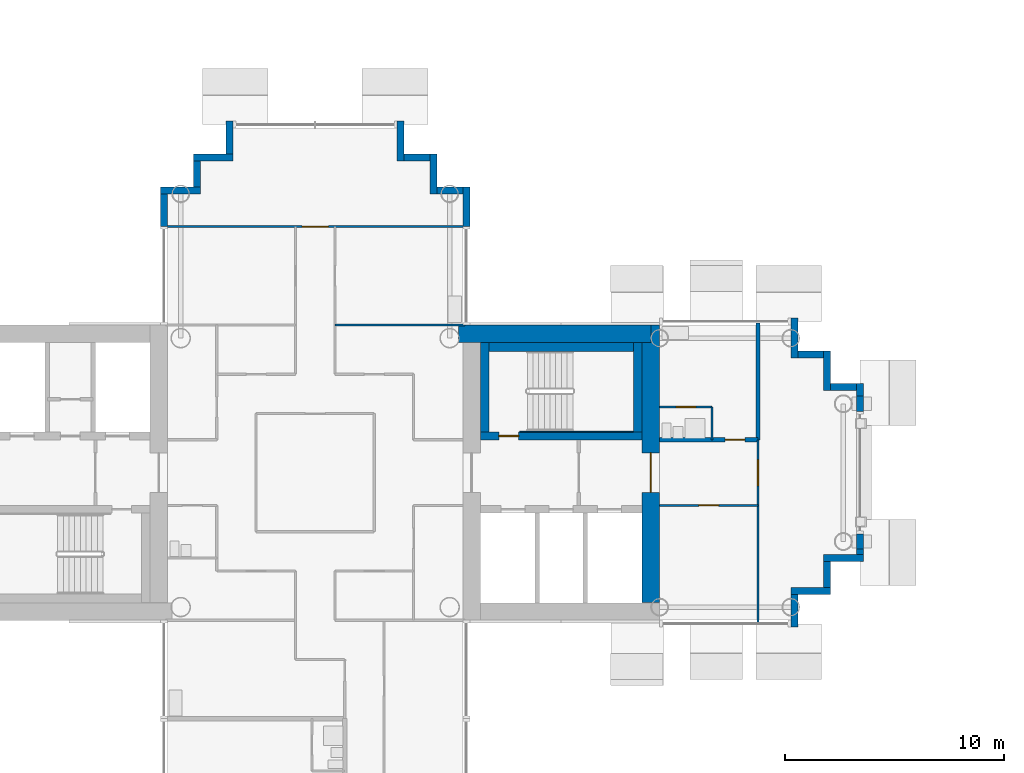
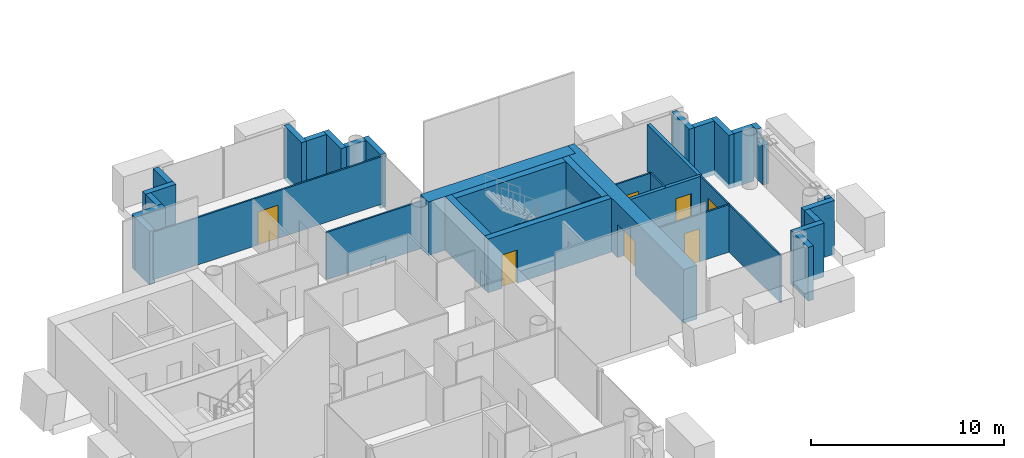
# One storey, part 8 of 18: 37 walls, 7 doors, 7 openings.
"""IFC4 building model written with IfcOpenShell, lengths in metres."""

from ifc_helpers import new_model, si_unit, direction, frame, frame_2d, origin, place, context, subcontext, project, spatial, rectangle, extrude, material, layer, layer_set, type_object, element, fill, save


model = new_model("IFC4")

# Units and contexts
model_context = context("Model", 3, precision=1e-05, world=origin(), true_north=direction((0.0, 1.0)))
body_context = subcontext(model_context, "Body", "Model", "MODEL_VIEW")
ifc_project = project(units=[si_unit("LENGTHUNIT", "METRE"), si_unit("AREAUNIT", "SQUARE_METRE"), si_unit("VOLUMEUNIT", "CUBIC_METRE"), si_unit("PLANEANGLEUNIT", "RADIAN"), si_unit("MASSUNIT", "GRAM", prefix="KILO")], contexts=[model_context])

# Site, building, storey
site_placement = place(None, origin())
site = spatial("IfcSite", under=ifc_project, at=site_placement, CompositionType="ELEMENT")
building_placement = place(site_placement, origin())
building = spatial("IfcBuilding", under=site, at=building_placement, Name="Ipe Terrace Towers", CompositionType="ELEMENT")
storey_placement = place(building_placement, frame((0.0, 0.0, 177.89990234375)))
storey = spatial("IfcBuildingStorey", under=building, at=storey_placement, Name="L49", CompositionType="ELEMENT", Elevation=177.89990234375)

# Walls
ifc_material_1 = material(Name="Concrete C40/50 with buff precast cladding", Category="concrete")
ifc_layer_1 = layer(ifc_material_1, 0.320068359375)
ifc_layer_set_1 = layer_set([ifc_layer_1], Name="BUFF CLADDING WALL 320")
wall_type_1 = type_object("IfcWallType", Name="BUFF CLADDING WALL 320", PredefinedType="STANDARD", material=ifc_layer_set_1)
wall_1_placement = place(storey_placement, frame((-14.090087890625, -7.070068359375, -0.2998046875), z_axis=(0.0, 0.0, 1.0), x_axis=(0.0, 1.0, 0.0)))
element("IfcWall", 1, at=wall_1_placement, inside=storey, type_object=wall_type_1, Name="T1-W-L49-17a wall", PredefinedType="STANDARD", context=body_context, shape_type="SweptSolid", body=[
    extrude(rectangle(XDim=1.5, YDim=0.320068359375, at=frame_2d((0.75, 0.0))), origin(), (0.0, 0.0, 1.0), 3.39990234375),
])
wall_2_placement = place(storey_placement, frame((-14.25, -5.409912109375, -0.2998046875), z_axis=(0.0, 0.0, 1.0), x_axis=(1.0, 0.0, 0.0)))
element("IfcWall", 2, at=wall_2_placement, inside=storey, type_object=wall_type_1, Name="T1-W-L49-18a wall", PredefinedType="STANDARD", context=body_context, shape_type="SweptSolid", body=[
    extrude(rectangle(XDim=1.820068359375, YDim=0.320068359375, at=frame_2d((0.91015625, 0.0))), origin(), (0.0, 0.0, 1.0), 3.39990234375),
])
wall_3_placement = place(storey_placement, frame((-12.590087890625, -5.25, -0.2998046875), z_axis=(0.0, 0.0, 1.0), x_axis=(0.0, 1.0, 0.0)))
element("IfcWall", 3, at=wall_3_placement, inside=storey, type_object=wall_type_1, Name="T1-W-L49-19a wall", PredefinedType="STANDARD", context=body_context, shape_type="SweptSolid", body=[
    extrude(rectangle(XDim=1.179931640625, YDim=0.320068359375, at=frame_2d((0.58984375, 0.0))), origin(), (0.0, 0.0, 1.0), 3.39990234375),
])
wall_4_placement = place(storey_placement, frame((-12.75, -3.909912109375, -0.2998046875), z_axis=(0.0, 0.0, 1.0), x_axis=(1.0, 0.0, 0.0)))
element("IfcWall", 4, at=wall_4_placement, inside=storey, type_object=wall_type_1, Name="T1-W-L49-20a wall", PredefinedType="STANDARD", context=body_context, shape_type="SweptSolid", body=[
    extrude(rectangle(XDim=1.820068359375, YDim=0.320068359375, at=frame_2d((0.91015625, 0.0))), origin(), (0.0, 0.0, 1.0), 3.39990234375),
])
wall_5_placement = place(storey_placement, frame((-11.090087890625, -3.75, 0.0), z_axis=(0.0, 0.0, 1.0), x_axis=(0.0, 1.0, 0.0)))
element("IfcWall", 5, at=wall_5_placement, inside=storey, type_object=wall_type_1, Name="T1-W-L49-21a wall", PredefinedType="STANDARD", context=body_context, shape_type="SweptSolid", body=[
    extrude(rectangle(XDim=0.25, YDim=0.320068359375, at=frame_2d((0.125, 0.0))), origin(), (0.0, 0.0, 1.0), 3.10009765625),
])
for number, where, z_axis, x_axis, name in (
    (6, (-11.090087890625, -3.5, 0.0), (0.0, 0.0, 1.0), (0.0, 1.0, 0.0), "T1-W-L49-21b wall"),
    (7, (-11.090087890625, 2.800048828125, 0.0), (0.0, 0.0, 1.0), (0.0, 1.0, 0.0), "T1-W-L49-21e wall"),
):
    element("IfcWall", number, at=place(storey_placement, frame(where, z_axis=z_axis, x_axis=x_axis)), inside=storey, type_object=wall_type_1, Name=name, PredefinedType="STANDARD", context=body_context, shape_type="SweptSolid", body=[
        extrude(rectangle(XDim=0.699951171875, YDim=0.320068359375, at=frame_2d((0.35009765625, 0.0))), origin(), (0.0, 0.0, 1.0), 2.510009765625),
    ])
wall_6_placement = place(storey_placement, frame((-11.090087890625, 3.5, 0.0), z_axis=(0.0, 0.0, 1.0), x_axis=(0.0, 1.0, 0.0)))
element("IfcWall", 8, at=wall_6_placement, inside=storey, type_object=wall_type_1, Name="T1-W-L49-21g wall", PredefinedType="STANDARD", context=body_context, shape_type="SweptSolid", body=[
    extrude(rectangle(XDim=0.570068359375, YDim=0.320068359375, at=frame_2d((0.28515625, 0.0))), origin(), (0.0, 0.0, 1.0), 3.10009765625),
])
wall_7_placement = place(storey_placement, frame((-11.25, 3.909912109375, -0.2998046875), z_axis=(0.0, 0.0, 1.0), x_axis=(-1.0, 0.0, 0.0)))
element("IfcWall", 9, at=wall_7_placement, inside=storey, type_object=wall_type_1, Name="T1-W-L49-22a wall", PredefinedType="STANDARD", context=body_context, shape_type="SweptSolid", body=[
    extrude(rectangle(XDim=1.179931640625, YDim=0.320068359375, at=frame_2d((0.58984375, 0.0))), origin(), (0.0, 0.0, 1.0), 3.39990234375),
])
wall_8_placement = place(storey_placement, frame((-12.590087890625, 3.75, -0.2998046875), z_axis=(0.0, 0.0, 1.0), x_axis=(0.0, 1.0, 0.0)))
element("IfcWall", 10, at=wall_8_placement, inside=storey, type_object=wall_type_1, Name="T1-W-L49-23a wall", PredefinedType="STANDARD", context=body_context, shape_type="SweptSolid", body=[
    extrude(rectangle(XDim=1.820068359375, YDim=0.320068359375, at=frame_2d((0.91015625, 0.0))), origin(), (0.0, 0.0, 1.0), 3.39990234375),
])
wall_9_placement = place(storey_placement, frame((-12.75, 5.409912109375, -0.2998046875), z_axis=(0.0, 0.0, 1.0), x_axis=(-1.0, 0.0, 0.0)))
element("IfcWall", 11, at=wall_9_placement, inside=storey, type_object=wall_type_1, Name="T1-W-L49-24a wall", PredefinedType="STANDARD", context=body_context, shape_type="SweptSolid", body=[
    extrude(rectangle(XDim=1.179931640625, YDim=0.320068359375, at=frame_2d((0.58984375, 0.0))), origin(), (0.0, 0.0, 1.0), 3.39990234375),
])
for number, where, z_axis, x_axis, name in (
    (12, (-14.090087890625, 5.25, -0.2998046875), (0.0, 0.0, 1.0), (0.0, 1.0, 0.0), "T1-W-L49-25a wall"),
    (13, (-29.090087890625, 11.25, -0.2998046875), (0.0, 0.0, 1.0), (0.0, 1.0, 0.0), "T1-W-L49-29a wall"),
):
    element("IfcWall", number, at=place(storey_placement, frame(where, z_axis=z_axis, x_axis=x_axis)), inside=storey, type_object=wall_type_1, Name=name, PredefinedType="STANDARD", context=body_context, shape_type="SweptSolid", body=[
        extrude(rectangle(XDim=1.820068359375, YDim=0.320068359375, at=frame_2d((0.91015625, 0.0))), origin(), (0.0, 0.0, 1.0), 3.39990234375),
    ])
wall_10_placement = place(storey_placement, frame((-29.25, 12.909912109375, -0.2998046875), z_axis=(0.0, 0.0, 1.0), x_axis=(-1.0, 0.0, 0.0)))
element("IfcWall", 14, at=wall_10_placement, inside=storey, type_object=wall_type_1, Name="T1-W-L49-30a wall", PredefinedType="STANDARD", context=body_context, shape_type="SweptSolid", body=[
    extrude(rectangle(XDim=1.179931640625, YDim=0.320068359375, at=frame_2d((0.58984375, 0.0))), origin(), (0.0, 0.0, 1.0), 3.39990234375),
])
wall_11_placement = place(storey_placement, frame((-30.590087890625, 12.75, -0.2998046875), z_axis=(0.0, 0.0, 1.0), x_axis=(0.0, 1.0, 0.0)))
element("IfcWall", 15, at=wall_11_placement, inside=storey, type_object=wall_type_1, Name="T1-W-L49-31a wall", PredefinedType="STANDARD", context=body_context, shape_type="SweptSolid", body=[
    extrude(rectangle(XDim=1.820068359375, YDim=0.320068359375, at=frame_2d((0.91015625, 0.0))), origin(), (0.0, 0.0, 1.0), 3.39990234375),
])
wall_12_placement = place(storey_placement, frame((-30.75, 14.409912109375, -0.2998046875), z_axis=(0.0, 0.0, 1.0), x_axis=(-1.0, 0.0, 0.0)))
element("IfcWall", 16, at=wall_12_placement, inside=storey, type_object=wall_type_1, Name="T1-W-L49-32a wall", PredefinedType="STANDARD", context=body_context, shape_type="SweptSolid", body=[
    extrude(rectangle(XDim=1.179931640625, YDim=0.320068359375, at=frame_2d((0.58984375, 0.0))), origin(), (0.0, 0.0, 1.0), 3.39990234375),
])
wall_13_placement = place(storey_placement, frame((-32.090087890625, 14.25, -0.2998046875), z_axis=(0.0, 0.0, 1.0), x_axis=(0.0, 1.0, 0.0)))
element("IfcWall", 17, at=wall_13_placement, inside=storey, type_object=wall_type_1, Name="T1-W-L49-33a wall", PredefinedType="STANDARD", context=body_context, shape_type="SweptSolid", body=[
    extrude(rectangle(XDim=1.820068359375, YDim=0.320068359375, at=frame_2d((0.91015625, 0.0))), origin(), (0.0, 0.0, 1.0), 3.39990234375),
])
wall_14_placement = place(storey_placement, frame((-39.909912109375, 16.070068359375, -0.2998046875), z_axis=(0.0, 0.0, 1.0), x_axis=(0.0, -1.0, 0.0)))
element("IfcWall", 18, at=wall_14_placement, inside=storey, type_object=wall_type_1, Name="T1-W-L49-35a wall", PredefinedType="STANDARD", context=body_context, shape_type="SweptSolid", body=[
    extrude(rectangle(XDim=1.5, YDim=0.320068359375, at=frame_2d((0.75, 0.0))), origin(), (0.0, 0.0, 1.0), 3.39990234375),
])
wall_15_placement = place(storey_placement, frame((-39.75, 14.409912109375, -0.2998046875), z_axis=(0.0, 0.0, 1.0), x_axis=(-1.0, 0.0, 0.0)))
element("IfcWall", 19, at=wall_15_placement, inside=storey, type_object=wall_type_1, Name="T1-W-L49-36a wall", PredefinedType="STANDARD", context=body_context, shape_type="SweptSolid", body=[
    extrude(rectangle(XDim=1.820068359375, YDim=0.320068359375, at=frame_2d((0.91015625, 0.0))), origin(), (0.0, 0.0, 1.0), 3.39990234375),
])
wall_16_placement = place(storey_placement, frame((-41.409912109375, 14.25, -0.2998046875), z_axis=(0.0, 0.0, 1.0), x_axis=(0.0, -1.0, 0.0)))
element("IfcWall", 20, at=wall_16_placement, inside=storey, type_object=wall_type_1, Name="T1-W-L49-37a wall", PredefinedType="STANDARD", context=body_context, shape_type="SweptSolid", body=[
    extrude(rectangle(XDim=1.179931640625, YDim=0.320068359375, at=frame_2d((0.58984375, 0.0))), origin(), (0.0, 0.0, 1.0), 3.39990234375),
])
wall_17_placement = place(storey_placement, frame((-41.25, 12.909912109375, -0.2998046875), z_axis=(0.0, 0.0, 1.0), x_axis=(-1.0, 0.0, 0.0)))
element("IfcWall", 21, at=wall_17_placement, inside=storey, type_object=wall_type_1, Name="T1-W-L49-38a wall", PredefinedType="STANDARD", context=body_context, shape_type="SweptSolid", body=[
    extrude(rectangle(XDim=1.820068359375, YDim=0.320068359375, at=frame_2d((0.91015625, 0.0))), origin(), (0.0, 0.0, 1.0), 3.39990234375),
])
wall_18_placement = place(storey_placement, frame((-42.909912109375, 12.75, -0.2998046875), z_axis=(0.0, 0.0, 1.0), x_axis=(0.0, -1.0, 0.0)))
element("IfcWall", 22, at=wall_18_placement, inside=storey, type_object=wall_type_1, Name="T1-W-L49-39a wall", PredefinedType="STANDARD", context=body_context, shape_type="SweptSolid", body=[
    extrude(rectangle(XDim=1.5, YDim=0.320068359375, at=frame_2d((0.75, 0.0))), origin(), (0.0, 0.0, 1.0), 3.39990234375),
])
ifc_material_2 = material(Name="Gypsum board partition", Category="plasterboard")
ifc_layer_2 = layer(ifc_material_2, 0.10009765625)
ifc_layer_set_2 = layer_set([ifc_layer_2], Name="Gypsum board partition 100 mm")
wall_type_2 = type_object("IfcWallType", Name="Gypsum board partition 100 mm", PredefinedType="PARTITIONING", material=ifc_layer_set_2)
wall_19_placement = place(storey_placement, frame((-17.85009765625, 1.5, 0.0), z_axis=(0.0, 0.0, 1.0), x_axis=(0.0, 1.0, 0.0)))
element("IfcWall", 23, at=wall_19_placement, inside=storey, type_object=wall_type_2, Name="Gypsum board partition T1 L49 W15", PredefinedType="PARTITIONING", context=body_context, shape_type="SweptSolid", body=[
    extrude(rectangle(XDim=1.5, YDim=0.10009765625, at=frame_2d((0.75, 0.0))), origin(), (0.0, 0.0, 1.0), 3.0),
])

# Wall, opening, door
wall_20_placement = place(storey_placement, frame((-15.75, -6.85009765625, 0.0), z_axis=(0.0, 0.0, 1.0), x_axis=(0.0, 1.0, 0.0)))
wall_20 = element("IfcWall", 24, at=wall_20_placement, inside=storey, type_object=wall_type_2, Name="Gypsum board partition T1 L49 W16", PredefinedType="PARTITIONING", context=body_context, shape_type="SweptSolid", body=[
    extrude(rectangle(XDim=8.35009765625, YDim=0.10009765625, at=frame_2d((4.175048828125, 0.0))), origin(), (0.0, 0.0, 1.0), 3.0),
])
opening_1_placement = place(wall_20_placement, frame((6.25, 0.0, 0.0)))
opening_1 = element("IfcOpeningElement", 25, at=opening_1_placement, cuts=wall_20, Name="Opening T1-Z3E-20", PredefinedType="OPENING", context=body_context, shape_type="SweptSolid", body=[
    extrude(rectangle(XDim=1.199951171875, YDim=2.10009765625, at=frame_2d((0.60009765625, 1.050048828125))), frame((0.0, 0.06005859375, 0.0), z_axis=(0.0, -1.0, 0.0), x_axis=(1.0, 0.0, 0.0)), (0.0, 0.0, 1.0), 0.1201171875),
])
ifc_material_3 = material(Name="Timber door leaf", Category="wood")
door_type_1 = type_object("IfcDoorType", Name="Lounge door 1200 x 2100", OperationType="NOTDEFINED", PredefinedType="DOOR", material=ifc_material_3)
door_1_placement = place(opening_1_placement, origin())
door_1 = element("IfcDoor", 26, at=door_1_placement, inside=storey, type_object=door_type_1, Name="Lounge door T1-Z3E-20", OperationType="SINGLE_SWING_RIGHT", OverallHeight=2.10009765625, OverallWidth=1.199951171875, PredefinedType="DOOR", context=body_context, shape_type="SweptSolid", body=[
    extrude(rectangle(XDim=1.199951171875, YDim=2.10009765625, at=frame_2d((0.60009765625, 1.050048828125))), frame((0.0, 0.02490234375, 0.0), z_axis=(0.0, -1.0, 0.0), x_axis=(1.0, 0.0, 0.0)), (0.0, 0.0, 1.0), 0.050048828125),
])
fill(opening_1, door_1)

wall_21_placement = place(storey_placement, frame((-20.25, -1.5, 0.0), z_axis=(0.0, 0.0, 1.0), x_axis=(1.0, 0.0, 0.0)))
wall_21 = element("IfcWall", 27, at=wall_21_placement, inside=storey, type_object=wall_type_2, Name="Gypsum board partition T1 L49 W31", PredefinedType="PARTITIONING", context=body_context, shape_type="SweptSolid", body=[
    extrude(rectangle(XDim=4.5, YDim=0.10009765625, at=frame_2d((2.25, 0.0))), origin(), (0.0, 0.0, 1.0), 3.0),
])
opening_2_placement = place(wall_21_placement, frame((1.800048828125, 0.0, 0.0)))
opening_2 = element("IfcOpeningElement", 28, at=opening_2_placement, cuts=wall_21, Name="Opening T1-Z3E-19", PredefinedType="OPENING", context=body_context, shape_type="SweptSolid", body=[
    extrude(rectangle(XDim=0.89990234375, YDim=2.10009765625, at=frame_2d((0.449951171875, 1.050048828125))), frame((0.0, 0.06005859375, 0.0), z_axis=(0.0, -1.0, 0.0), x_axis=(1.0, 0.0, 0.0)), (0.0, 0.0, 1.0), 0.1201171875),
])
ifc_material_4 = material(Name="Timber door leaf", Category="wood")
door_type_2 = type_object("IfcDoorType", Name="Lounge door 900 x 2100", OperationType="NOTDEFINED", PredefinedType="DOOR", material=ifc_material_4)
door_2_placement = place(opening_2_placement, origin())
door_2 = element("IfcDoor", 29, at=door_2_placement, inside=storey, type_object=door_type_2, Name="Lounge door T1-Z3E-19", OperationType="SINGLE_SWING_RIGHT", OverallHeight=2.10009765625, OverallWidth=0.89990234375, PredefinedType="DOOR", context=body_context, shape_type="SweptSolid", body=[
    extrude(rectangle(XDim=0.89990234375, YDim=2.10009765625, at=frame_2d((0.449951171875, 1.050048828125))), frame((0.0, 0.02490234375, 0.0), z_axis=(0.0, -1.0, 0.0), x_axis=(1.0, 0.0, 0.0)), (0.0, 0.0, 1.0), 0.050048828125),
])
fill(opening_2, door_2)

wall_22_placement = place(storey_placement, frame((-20.25, 3.0, 0.0), z_axis=(0.0, 0.0, 1.0), x_axis=(1.0, 0.0, 0.0)))
wall_22 = element("IfcWall", 30, at=wall_22_placement, inside=storey, type_object=wall_type_2, Name="Gypsum board partition T1 L49 W36", PredefinedType="PARTITIONING", context=body_context, shape_type="SweptSolid", body=[
    extrude(rectangle(XDim=2.39990234375, YDim=0.10009765625, at=frame_2d((1.199951171875, 0.0))), origin(), (0.0, 0.0, 1.0), 3.0),
])
opening_3_placement = place(wall_22_placement, frame((0.75, 0.0, 0.0)))
opening_3 = element("IfcOpeningElement", 31, at=opening_3_placement, cuts=wall_22, Name="Opening T1-Z3E-18", PredefinedType="OPENING", context=body_context, shape_type="SweptSolid", body=[
    extrude(rectangle(XDim=0.89990234375, YDim=2.10009765625, at=frame_2d((0.449951171875, 1.050048828125))), frame((0.0, 0.06005859375, 0.0), z_axis=(0.0, -1.0, 0.0), x_axis=(1.0, 0.0, 0.0)), (0.0, 0.0, 1.0), 0.1201171875),
])
ifc_material_5 = material(Name="Timber door leaf", Category="wood")
door_type_3 = type_object("IfcDoorType", Name="Bathroom door 900 x 2100", OperationType="NOTDEFINED", PredefinedType="DOOR", material=ifc_material_5)
door_3_placement = place(opening_3_placement, origin())
door_3 = element("IfcDoor", 32, at=door_3_placement, inside=storey, type_object=door_type_3, Name="Bathroom door T1-Z3E-18", OperationType="SINGLE_SWING_RIGHT", OverallHeight=2.10009765625, OverallWidth=0.89990234375, PredefinedType="DOOR", context=body_context, shape_type="SweptSolid", body=[
    extrude(rectangle(XDim=0.89990234375, YDim=2.10009765625, at=frame_2d((0.449951171875, 1.050048828125))), frame((0.0, 0.02490234375, 0.0), z_axis=(0.0, -1.0, 0.0), x_axis=(1.0, 0.0, 0.0)), (0.0, 0.0, 1.0), 0.050048828125),
])
fill(opening_3, door_3)

# Wall
wall_23_placement = place(storey_placement, frame((-35.10009765625, 6.75, 0.0), z_axis=(0.0, 0.0, 1.0), x_axis=(1.0, 0.0, 0.0)))
element("IfcWall", 33, at=wall_23_placement, inside=storey, type_object=wall_type_2, Name="Gypsum board partition T1 L49 W40", PredefinedType="PARTITIONING", context=body_context, shape_type="SweptSolid", body=[
    extrude(rectangle(XDim=5.9501953125, YDim=0.10009765625, at=frame_2d((2.97509765625, 0.0))), origin(), (0.0, 0.0, 1.0), 3.0),
])

# Wall, opening, door
wall_24_placement = place(storey_placement, frame((-42.85009765625, 11.25, 0.0), z_axis=(0.0, 0.0, 1.0), x_axis=(1.0, 0.0, 0.0)))
wall_24 = element("IfcWall", 34, at=wall_24_placement, inside=storey, type_object=wall_type_2, Name="Gypsum board partition T1 L49 W41", PredefinedType="PARTITIONING", context=body_context, shape_type="SweptSolid", body=[
    extrude(rectangle(XDim=13.7001953125, YDim=0.10009765625, at=frame_2d((6.85009765625, 0.0))), origin(), (0.0, 0.0, 1.0), 3.0),
])
opening_4_placement = place(wall_24_placement, frame((6.25, 0.0, 0.0)))
opening_4 = element("IfcOpeningElement", 35, at=opening_4_placement, cuts=wall_24, Name="Opening T1-Z3E-11", PredefinedType="OPENING", context=body_context, shape_type="SweptSolid", body=[
    extrude(rectangle(XDim=1.199951171875, YDim=2.10009765625, at=frame_2d((0.60009765625, 1.050048828125))), frame((0.0, 0.06005859375, 0.0), z_axis=(0.0, -1.0, 0.0), x_axis=(1.0, 0.0, 0.0)), (0.0, 0.0, 1.0), 0.1201171875),
])
door_4_placement = place(opening_4_placement, origin())
door_4 = element("IfcDoor", 36, at=door_4_placement, inside=storey, type_object=door_type_1, Name="Lounge door T1-Z3E-11", OperationType="SINGLE_SWING_LEFT", OverallHeight=2.10009765625, OverallWidth=1.199951171875, PredefinedType="DOOR", context=body_context, shape_type="SweptSolid", body=[
    extrude(rectangle(XDim=1.199951171875, YDim=2.10009765625, at=frame_2d((0.60009765625, 1.050048828125))), frame((0.0, 0.02490234375, 0.0), z_axis=(0.0, -1.0, 0.0), x_axis=(1.0, 0.0, 0.0)), (0.0, 0.0, 1.0), 0.050048828125),
])
fill(opening_4, door_4)

# Wall
ifc_material_6 = material(Name="Gypsum board party wall", Category="plasterboard")
ifc_layer_3 = layer(ifc_material_6, 0.199951171875)
ifc_layer_set_3 = layer_set([ifc_layer_3], Name="Gypsum board party wall 200 mm")
wall_type_3 = type_object("IfcWallType", Name="Gypsum board party wall 200 mm", PredefinedType="SOLIDWALL", material=ifc_layer_set_3)
wall_25_placement = place(storey_placement, frame((-15.75, 1.5, 0.0), z_axis=(0.0, 0.0, 1.0), x_axis=(0.0, 1.0, 0.0)))
element("IfcWall", 37, at=wall_25_placement, inside=storey, type_object=wall_type_3, Name="Gypsum board party wall T1 L49 W17", PredefinedType="SOLIDWALL", context=body_context, shape_type="SweptSolid", body=[
    extrude(rectangle(XDim=5.35009765625, YDim=0.199951171875, at=frame_2d((2.675048828125, 0.0))), origin(), (0.0, 0.0, 1.0), 3.0),
])

# Wall, opening, door
wall_26_placement = place(storey_placement, frame((-20.25, 1.5, 0.0), z_axis=(0.0, 0.0, 1.0), x_axis=(1.0, 0.0, 0.0)))
wall_26 = element("IfcWall", 38, at=wall_26_placement, inside=storey, type_object=wall_type_3, Name="Gypsum board party wall T1 L49 W34", PredefinedType="SOLIDWALL", context=body_context, shape_type="SweptSolid", body=[
    extrude(rectangle(XDim=4.5, YDim=0.199951171875, at=frame_2d((2.25, 0.0))), origin(), (0.0, 0.0, 1.0), 3.0),
])
opening_5_placement = place(wall_26_placement, frame((3.0, 0.0, 0.0)))
opening_5 = element("IfcOpeningElement", 39, at=opening_5_placement, cuts=wall_26, Name="Opening T1-Z3E-17", PredefinedType="OPENING", context=body_context, shape_type="SweptSolid", body=[
    extrude(rectangle(XDim=0.89990234375, YDim=2.10009765625, at=frame_2d((0.449951171875, 1.050048828125))), frame((0.0, 0.10986328125, 0.0), z_axis=(0.0, -1.0, 0.0), x_axis=(1.0, 0.0, 0.0)), (0.0, 0.0, 1.0), 0.219970703125),
])
ifc_material_7 = material(Name="Fire-rated timber door leaf", Category="wood")
door_type_4 = type_object("IfcDoorType", Name="Flat entrance door 900 x 2100 FD30S", OperationType="NOTDEFINED", PredefinedType="DOOR", material=ifc_material_7)
door_5_placement = place(opening_5_placement, origin())
door_5 = element("IfcDoor", 40, at=door_5_placement, inside=storey, type_object=door_type_4, Name="Flat entrance door T1-Z3E-17", OperationType="SINGLE_SWING_LEFT", OverallHeight=2.10009765625, OverallWidth=0.89990234375, PredefinedType="DOOR", context=body_context, shape_type="SweptSolid", body=[
    extrude(rectangle(XDim=0.89990234375, YDim=2.10009765625, at=frame_2d((0.449951171875, 1.050048828125))), frame((0.0, 0.02490234375, 0.0), z_axis=(0.0, -1.0, 0.0), x_axis=(1.0, 0.0, 0.0)), (0.0, 0.0, 1.0), 0.050048828125),
])
fill(opening_5, door_5)

ifc_material_8 = material(Name="Concrete C50/60", Category="concrete")
ifc_layer_4 = layer(ifc_material_8, 0.35009765625)
ifc_layer_set_4 = layer_set([ifc_layer_4], Name="RW350 CORE SPINE WALL 350 C50-60")
wall_type_4 = type_object("IfcWallType", Name="RW350 CORE SPINE WALL 350 C50-60", PredefinedType="SHEAR", material=ifc_layer_set_4)
wall_27_placement = place(storey_placement, frame((-28.449951171875, 1.675048828125, 0.0), z_axis=(0.0, 0.0, 1.0), x_axis=(1.0, 0.0, 0.0)))
wall_27 = element("IfcWall", 41, at=wall_27_placement, inside=storey, type_object=wall_type_4, Name="Core spine wall T1-C1-Z3-SW2", PredefinedType="SHEAR", context=body_context, shape_type="SweptSolid", body=[
    extrude(rectangle(XDim=7.39990234375, YDim=0.35009765625, at=frame_2d((3.699951171875, 0.0))), origin(), (0.0, 0.0, 1.0), 3.400146484375),
])
opening_6_placement = place(wall_27_placement, frame((0.85009765625, 0.0, 0.0)))
opening_6 = element("IfcOpeningElement", 42, at=opening_6_placement, cuts=wall_27, Name="Opening T1C1-SD", PredefinedType="OPENING", context=body_context, shape_type="SweptSolid", body=[
    extrude(rectangle(XDim=0.89990234375, YDim=2.10009765625, at=frame_2d((0.449951171875, 1.050048828125))), frame((0.0, 0.18505859375, 0.0), z_axis=(0.0, -1.0, 0.0), x_axis=(1.0, 0.0, 0.0)), (0.0, 0.0, 1.0), 0.3701171875),
])
ifc_material_9 = material(Name="Fire-rated timber door leaf", Category="wood")
door_type_5 = type_object("IfcDoorType", Name="Stair door 900 x 2100 FD60", OperationType="NOTDEFINED", PredefinedType="DOOR", material=ifc_material_9)
door_6_placement = place(opening_6_placement, origin())
door_6 = element("IfcDoor", 43, at=door_6_placement, inside=storey, type_object=door_type_5, Name="Stair door T1C1-SD", OperationType="SINGLE_SWING_LEFT", OverallHeight=2.10009765625, OverallWidth=0.89990234375, PredefinedType="DOOR", context=body_context, shape_type="SweptSolid", body=[
    extrude(rectangle(XDim=0.89990234375, YDim=2.10009765625, at=frame_2d((0.449951171875, 1.050048828125))), frame((0.0, 0.02490234375, 0.0), z_axis=(0.0, -1.0, 0.0), x_axis=(1.0, 0.0, 0.0)), (0.0, 0.0, 1.0), 0.050048828125),
])
fill(opening_6, door_6)

# Walls
ifc_material_10 = material(Name="Concrete C50/60", Category="concrete")
ifc_layer_5 = layer(ifc_material_10, 0.39990234375)
ifc_layer_set_5 = layer_set([ifc_layer_5], Name="RW400 CORE INFILL WALL 400 C50-60")
wall_type_5 = type_object("IfcWallType", Name="RW400 CORE INFILL WALL 400 C50-60", PredefinedType="SHEAR", material=ifc_layer_set_5)
wall_28_placement = place(storey_placement, frame((-21.25, 1.85009765625, 0.0), z_axis=(0.0, 0.0, 1.0), x_axis=(0.0, 1.0, 0.0)))
element("IfcWall", 44, at=wall_28_placement, inside=storey, type_object=wall_type_5, Name="Core infill wall T1-C1-far", PredefinedType="SHEAR", context=body_context, shape_type="SweptSolid", body=[
    extrude(rectangle(XDim=4.099853515625, YDim=0.39990234375, at=frame_2d((2.0498046875, 0.0))), origin(), (0.0, 0.0, 1.0), 3.400146484375),
])
wall_29_placement = place(storey_placement, frame((-28.050048828125, 5.75, 0.0), z_axis=(0.0, 0.0, 1.0), x_axis=(1.0, 0.0, 0.0)))
element("IfcWall", 45, at=wall_29_placement, inside=storey, type_object=wall_type_5, Name="Core infill wall T1-C1-back", PredefinedType="SHEAR", context=body_context, shape_type="SweptSolid", body=[
    extrude(rectangle(XDim=6.60009765625, YDim=0.39990234375, at=frame_2d((3.300048828125, 0.0))), origin(), (0.0, 0.0, 1.0), 3.400146484375),
])
wall_30_placement = place(storey_placement, frame((-28.25, 1.85009765625, 0.0), z_axis=(0.0, 0.0, 1.0), x_axis=(0.0, 1.0, 0.0)))
element("IfcWall", 46, at=wall_30_placement, inside=storey, type_object=wall_type_5, Name="Core infill wall T1-C1-near", PredefinedType="SHEAR", context=body_context, shape_type="SweptSolid", body=[
    extrude(rectangle(XDim=4.099853515625, YDim=0.39990234375, at=frame_2d((2.0498046875, 0.0))), origin(), (0.0, 0.0, 1.0), 3.400146484375),
])
ifc_material_11 = material(Name="Concrete C50/60", Category="concrete")
ifc_layer_6 = layer(ifc_material_11, 0.050048828125)
ifc_layer_set_6 = layer_set([ifc_layer_6], Name="RW50 CORE INFILL WALL 50 C50-60")
wall_type_6 = type_object("IfcWallType", Name="RW50 CORE INFILL WALL 50 C50-60", PredefinedType="SHEAR", material=ifc_layer_set_6)
wall_31_placement = place(storey_placement, frame((-26.64990234375, 1.875, 0.0), z_axis=(0.0, 0.0, 1.0), x_axis=(1.0, 0.0, 0.0)))
element("IfcWall", 47, at=wall_31_placement, inside=storey, type_object=wall_type_6, Name="Core infill wall T1-C1-spine-b", PredefinedType="SHEAR", context=body_context, shape_type="SweptSolid", body=[
    extrude(rectangle(XDim=5.199951171875, YDim=0.050048828125, at=frame_2d((2.60009765625, 0.0))), origin(), (0.0, 0.0, 1.0), 3.400146484375),
])

# Wall, opening, door
ifc_material_12 = material(Name="Concrete C50/60", Category="concrete")
ifc_layer_7 = layer(ifc_material_12, 0.800048828125)
ifc_layer_set_7 = layer_set([ifc_layer_7], Name="RW800 CORE WALL 800 C50-60")
wall_type_7 = type_object("IfcWallType", Name="RW800 CORE WALL 800 C50-60", PredefinedType="SHEAR", material=ifc_layer_set_7)
wall_32_placement = place(storey_placement, frame((-20.64990234375, -5.949951171875, 0.0), z_axis=(0.0, 0.0, 1.0), x_axis=(0.0, 1.0, 0.0)))
wall_32 = element("IfcWall", 48, at=wall_32_placement, inside=storey, type_object=wall_type_7, Name="Core wall T1-C1-Z3-W02", PredefinedType="SHEAR", context=body_context, shape_type="SweptSolid", body=[
    extrude(rectangle(XDim=12.699951171875, YDim=0.800048828125, at=frame_2d((6.35009765625, 0.0))), origin(), (0.0, 0.0, 1.0), 3.400146484375),
])
opening_7_placement = place(wall_32_placement, frame((5.050048828125, 0.0, 0.0)))
opening_7 = element("IfcOpeningElement", 49, at=opening_7_placement, cuts=wall_32, Name="Opening T1C1-FD", PredefinedType="OPENING", context=body_context, shape_type="SweptSolid", body=[
    extrude(rectangle(XDim=1.800048828125, YDim=2.10009765625, at=frame_2d((0.89990234375, 1.050048828125))), frame((0.0, 0.41015625, 0.0), z_axis=(0.0, -1.0, 0.0), x_axis=(1.0, 0.0, 0.0)), (0.0, 0.0, 1.0), 0.820068359375),
])
ifc_material_13 = material(Name="Fire-rated timber door leaf", Category="wood")
door_type_6 = type_object("IfcDoorType", Name="Fire door 1800 x 2100 FD30S", OperationType="NOTDEFINED", PredefinedType="DOOR", material=ifc_material_13)
door_7_placement = place(opening_7_placement, origin())
door_7 = element("IfcDoor", 50, at=door_7_placement, inside=storey, type_object=door_type_6, Name="Fire door T1C1-FD", OperationType="SINGLE_SWING_LEFT", OverallHeight=2.10009765625, OverallWidth=1.800048828125, PredefinedType="DOOR", context=body_context, shape_type="SweptSolid", body=[
    extrude(rectangle(XDim=1.800048828125, YDim=2.10009765625, at=frame_2d((0.89990234375, 1.050048828125))), frame((0.0, 0.02490234375, 0.0), z_axis=(0.0, -1.0, 0.0), x_axis=(1.0, 0.0, 0.0)), (0.0, 0.0, 1.0), 0.050048828125),
])
fill(opening_7, door_7)

# Wall
wall_33_placement = place(storey_placement, frame((-20.652099609375, 6.35009765625, 0.0), z_axis=(0.0, 0.0, 1.0), x_axis=(-1.0, 0.0, 0.0)))
element("IfcWall", 51, at=wall_33_placement, inside=storey, type_object=wall_type_7, Name="Core wall T1-C1-Z3-W03", PredefinedType="SHEAR", context=body_context, shape_type="SweptSolid", body=[
    extrude(rectangle(XDim=8.7958984375, YDim=0.800048828125, at=frame_2d((4.39794921875, 0.0))), origin(), (0.0, 0.0, 1.0), 3.400146484375),
])

save(model, "model.ifc")
